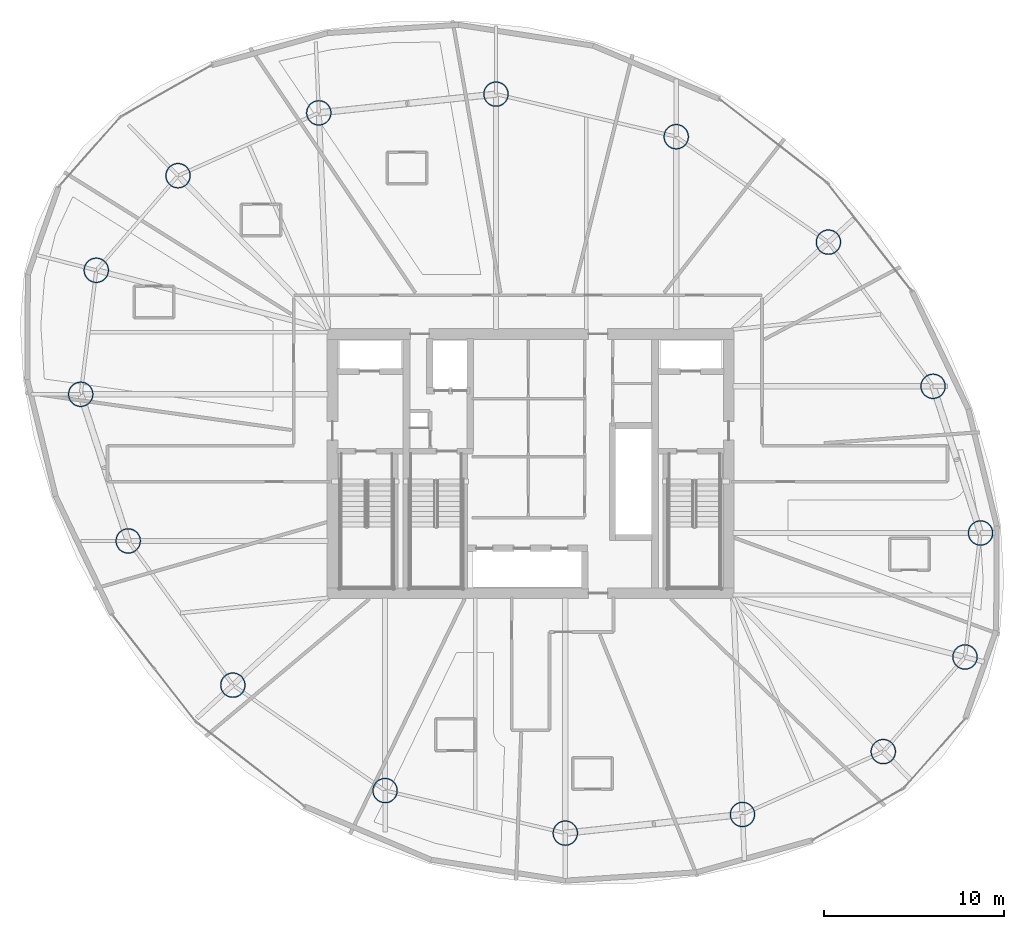
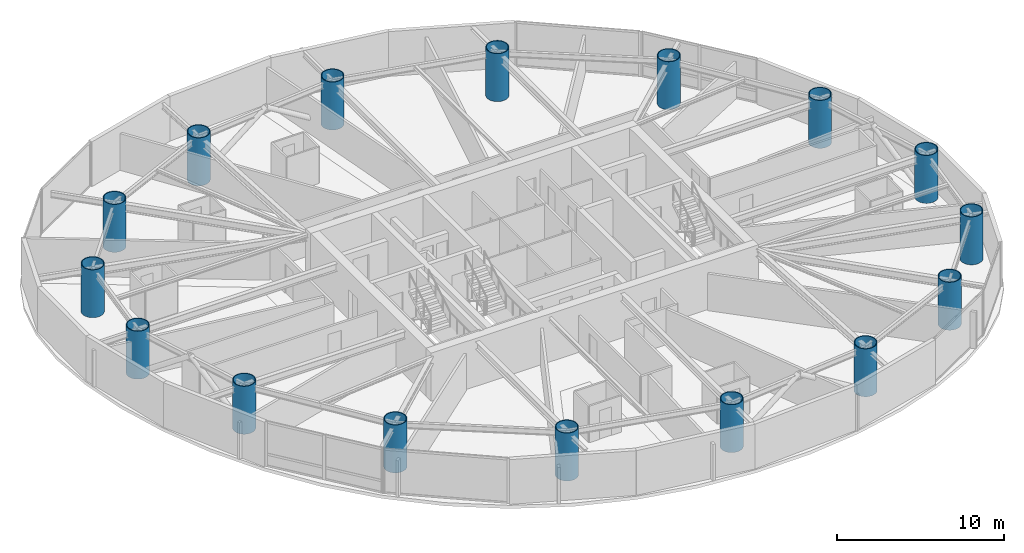
# One storey, part 1 of 20: 16 columns.
"""IFC4 building model written with IfcOpenShell, lengths in metres."""

from ifc_helpers import new_model, si_unit, direction, frame, origin, origin_2d, place, context, subcontext, project, spatial, hollow_circle, extrude, material, material_profile, profile_set, type_object, element, save


model = new_model("IFC4")

# Units and contexts
model_context = context("Model", 3, precision=1e-05, world=origin(), true_north=direction((0.0, 1.0)))
body_context = subcontext(model_context, "Body", "Model", "MODEL_VIEW")
ifc_project = project(units=[si_unit("LENGTHUNIT", "METRE"), si_unit("AREAUNIT", "SQUARE_METRE"), si_unit("VOLUMEUNIT", "CUBIC_METRE"), si_unit("PLANEANGLEUNIT", "RADIAN"), si_unit("MASSUNIT", "GRAM", prefix="KILO")], contexts=[model_context])

# Site, building, storey
site_placement = place(None, origin())
site = spatial("IfcSite", under=ifc_project, at=site_placement, CompositionType="ELEMENT")
building_placement = place(site_placement, origin())
building = spatial("IfcBuilding", under=site, at=building_placement, Name="Bramvorn Convention Spire", CompositionType="ELEMENT")
storey_placement = place(building_placement, frame((0.0, 0.0, 151.800048828125)))
storey = spatial("IfcBuildingStorey", under=building, at=storey_placement, Name="L38", CompositionType="ELEMENT", Elevation=151.800048828125)

# Columns
ifc_material = material(Name="Steel CSA G40.21 Grade 350 (350W)", Category="steel")
ifc_material_profile = material_profile(ifc_material, hollow_circle(Radius=0.699951171875, WallThickness=0.054931640625, at=origin_2d()))
ifc_profile_set = profile_set([ifc_material_profile], Name="Steel CSA G40.21 Grade 350 (350W) - CFT1400X55")
column_type = type_object("IfcColumnType", Name="COL-CFT1400X55", PredefinedType="COLUMN", material=ifc_profile_set)
for number, where, z_axis, x_axis, name in (
    (1, (62.11767578125, 15.26220703125, 0.0), (0.0, 0.0, 1.0), (1.0, 0.0, 0.0), "L38 composite CFT mega-column MC01"),
    (2, (62.983642578125, 22.148193359375, 0.0), (0.0, 0.0, 1.0), (1.0, 0.0, 0.0), "L38 composite CFT mega-column MC02"),
    (3, (60.345703125, 30.293212890625, 0.0), (0.0, 0.0, 1.0), (1.0, 0.0, 0.0), "L38 composite CFT mega-column MC03"),
    (4, (54.534912109375, 38.299072265625, 0.0), (0.0, 0.0, 1.0), (1.0, 0.0, 0.0), "L38 composite CFT mega-column MC04"),
    (5, (46.082763671875, 44.154052734375, 0.0), (0.0, 0.0, 1.0), (1.0, 0.0, 0.0), "L38 composite CFT mega-column MC05"),
    (6, (36.075927734375, 46.517333984375, 0.0), (0.0, 0.0, 1.0), (1.0, 0.0, 0.0), "L38 composite CFT mega-column MC06"),
    (7, (26.23828125, 45.478759765625, 0.0), (0.0, 0.0, 1.0), (1.0, 0.0, 0.0), "L38 composite CFT mega-column MC07"),
    (8, (18.420166015625, 41.9892578125, 0.0), (0.0, 0.0, 1.0), (1.0, 0.0, 0.0), "L38 composite CFT mega-column MC08"),
    (9, (13.88232421875, 36.73779296875, 0.0), (0.0, 0.0, 1.0), (1.0, 0.0, 0.0), "L38 composite CFT mega-column MC09"),
    (10, (13.016357421875, 29.851806640625, 0.0), (0.0, 0.0, 1.0), (1.0, 0.0, 0.0), "L38 composite CFT mega-column MC10"),
    (11, (15.654296875, 21.706787109375, 0.0), (0.0, 0.0, 1.0), (1.0, 0.0, 0.0), "L38 composite CFT mega-column MC11"),
    (12, (21.465087890625, 13.700927734375, 0.0), (0.0, 0.0, 1.0), (1.0, 0.0, 0.0), "L38 composite CFT mega-column MC12"),
    (13, (29.917236328125, 7.845947265625, 0.0), (0.0, 0.0, 1.0), (1.0, 0.0, 0.0), "L38 composite CFT mega-column MC13"),
    (14, (39.924072265625, 5.482666015625, 0.0), (0.0, 0.0, 1.0), (1.0, 0.0, 0.0), "L38 composite CFT mega-column MC14"),
    (15, (49.76171875, 6.521240234375, 0.0), (0.0, 0.0, 1.0), (1.0, 0.0, 0.0), "L38 composite CFT mega-column MC15"),
    (16, (57.579833984375, 10.0107421875, 0.0), (0.0, 0.0, 1.0), (1.0, 0.0, 0.0), "L38 composite CFT mega-column MC16"),
):
    element("IfcColumn", number, at=place(storey_placement, frame(where, z_axis=z_axis, x_axis=x_axis)), inside=storey, type_object=column_type, Name=name, PredefinedType="COLUMN", context=body_context, shape_type="SweptSolid", body=[
        extrude(hollow_circle(Radius=0.699951171875, WallThickness=0.054931640625, at=origin_2d()), origin(), (0.0, 0.0, 1.0), 3.5),
    ])

save(model, "model.ifc")
